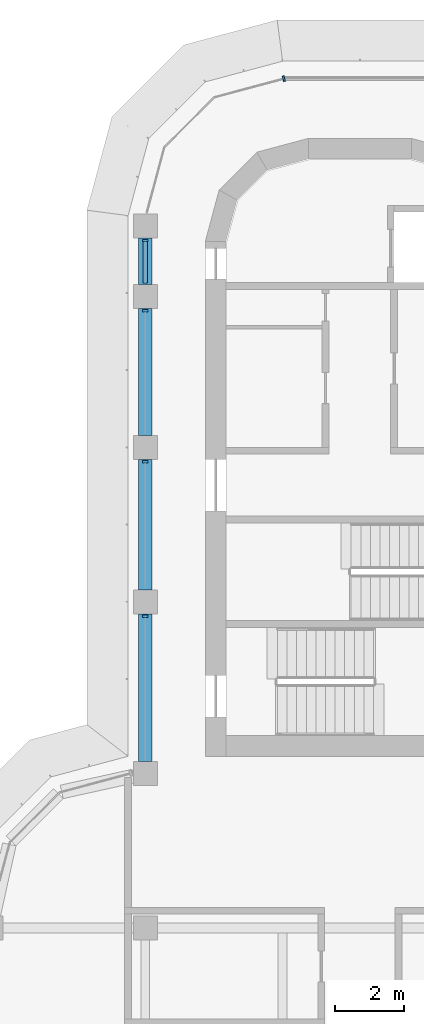
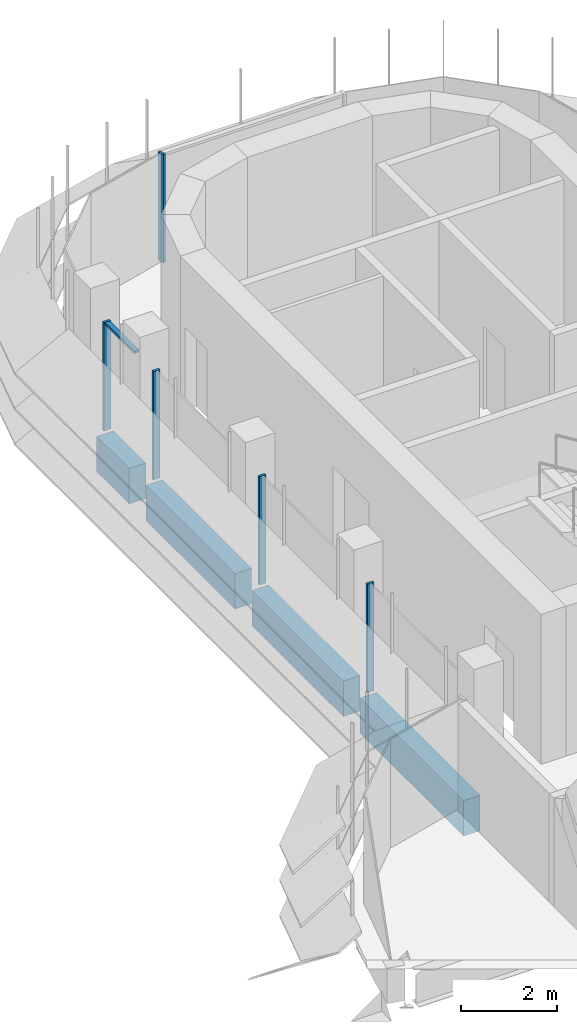
# One storey, part 7 of 19: 6 members, 4 beams, 2 elements without a shape of their own.
"""IFC4 building model written with IfcOpenShell, lengths in metres."""

from ifc_helpers import new_model, si_unit, direction, frame, origin, origin_2d, place, context, subcontext, project, spatial, polyline, rectangle, outline, extrude, source, transform, mapped, material, material_profile, profile_set, type_object, element, aggregate, save


model = new_model("IFC4")

# Units and contexts
model_context = context("Model", 3, precision=1e-05, world=origin(), true_north=direction((0.0, 1.0)))
body_context = subcontext(model_context, "Body", "Model", "MODEL_VIEW")
ifc_project = project(units=[si_unit("LENGTHUNIT", "METRE"), si_unit("AREAUNIT", "SQUARE_METRE"), si_unit("VOLUMEUNIT", "CUBIC_METRE"), si_unit("PLANEANGLEUNIT", "RADIAN"), si_unit("MASSUNIT", "GRAM", prefix="KILO")], contexts=[model_context])

# Site, building, storey
site_placement = place(None, origin())
site = spatial("IfcSite", under=ifc_project, at=site_placement, CompositionType="ELEMENT")
building_placement = place(site_placement, origin())
building = spatial("IfcBuilding", under=site, at=building_placement, Name="Zarbagh Exchange Tower", CompositionType="ELEMENT")
storey_placement = place(building_placement, frame((0.0, 0.0, 199.199951171875)))
storey = spatial("IfcBuildingStorey", under=building, at=storey_placement, Name="L48", CompositionType="ELEMENT", Elevation=199.199951171875)

# Beams
ifc_material_1 = material(Name="Concrete C50/60", Category="concrete")
ifc_material_profile = material_profile(ifc_material_1, rectangle(XDim=0.39990234375, YDim=0.89990234375, at=origin_2d()), Name="RC spandrel beam 400 x 900 C50/60")
ifc_profile_set = profile_set([ifc_material_profile], Name="Concrete C50/60")
beam_type = type_object("IfcBeamType", Name="RC spandrel beam 400 x 900 C50/60", PredefinedType="SPANDREL", material=ifc_profile_set)
beam_1_placement = place(storey_placement, frame((-6.25, 11.10009765625, -0.599853515625), z_axis=(0.0, 1.0, 0.0), x_axis=(-1.0, 0.0, 0.0)))
element("IfcBeam", 1, at=beam_1_placement, inside=storey, type_object=beam_type, Name="RC spandrel beam", PredefinedType="SPANDREL", context=body_context, shape_type="SweptSolid", body=[
    extrude(rectangle(XDim=0.39990234375, YDim=0.89990234375, at=origin_2d()), origin(), (0.0, 0.0, 1.0), 4.2998046875),
])
beam_2_placement = place(storey_placement, frame((-6.25, 16.10009765625, -0.599853515625), z_axis=(0.0, 1.0, 0.0), x_axis=(-1.0, 0.0, 0.0)))
element("IfcBeam", 2, at=beam_2_placement, inside=storey, type_object=beam_type, Name="RC spandrel beam", PredefinedType="SPANDREL", context=body_context, shape_type="SweptSolid", body=[
    extrude(rectangle(XDim=0.39990234375, YDim=0.89990234375, at=origin_2d()), origin(), (0.0, 0.0, 1.0), 3.7998046875),
])
beam_3_placement = place(storey_placement, frame((-6.25, 20.60009765625, -0.599853515625), z_axis=(0.0, 1.0, 0.0), x_axis=(-1.0, 0.0, 0.0)))
element("IfcBeam", 3, at=beam_3_placement, inside=storey, type_object=beam_type, Name="RC spandrel beam", PredefinedType="SPANDREL", context=body_context, shape_type="SweptSolid", body=[
    extrude(rectangle(XDim=0.39990234375, YDim=0.89990234375, at=origin_2d()), origin(), (0.0, 0.0, 1.0), 3.699951171875),
])
beam_4_placement = place(storey_placement, frame((-6.25, 25.0, -0.599853515625), z_axis=(0.0, 1.0, 0.0), x_axis=(-1.0, 0.0, 0.0)))
element("IfcBeam", 4, at=beam_4_placement, inside=storey, type_object=beam_type, Name="RC spandrel beam", PredefinedType="SPANDREL", context=body_context, shape_type="SweptSolid", body=[
    extrude(rectangle(XDim=0.39990234375, YDim=0.89990234375, at=origin_2d()), origin(), (0.0, 0.0, 1.0), 1.35009765625),
])

# Curtain wall, member
ifc_material_2 = material(Name="Anodised aluminium frame and glazing", Category="aluminium")
curtain_wall_type = type_object("IfcCurtainWallType", Name="CWB Ribbon glazing, upper zones", PredefinedType="NOTDEFINED", material=ifc_material_2)
curtain_wall_1_placement = place(storey_placement, origin())
curtain_wall_1 = element("IfcCurtainWall", 5, at=curtain_wall_1_placement, inside=storey, type_object=curtain_wall_type, Name="CWB25 curtain wall", PredefinedType="NOTDEFINED")
ifc_material_3 = material(Name="Anodised aluminium frame", Category="aluminium")
member_type_1 = type_object("IfcMemberType", Name="MUB Mullion, anodised aluminium frame", PredefinedType="MULLION", material=ifc_material_3)
shared_shape_1 = source(origin(), body_context, "Body", "SweptSolid", [
    extrude(outline(polyline([(0.0, -0.080078125), (0.06005859375, -0.080078125), (0.06005859375, 0.080078125), (0.0, 0.080078125), (0.0, -0.080078125)])), origin(), (0.0, 0.0, 1.0), 2.75),
])
placement = place(storey_placement, origin())
member_1 = element("IfcMember", 6, at=placement, type_object=member_type_1, Name="CWB25 mullion 1.1", PredefinedType="MULLION", context=body_context, shape_type="MappedRepresentation", body=[
    mapped(shared_shape_1, transform((-2.18408203125, 31.0, 0.0), x_axis=(-0.965924289636, -0.258824779902, 0.0), y_axis=(0.258824779902, -0.965924289636, 0.0), z_axis=(0.0, 0.0, 1.0))),
])
aggregate(curtain_wall_1, [member_1])

# Curtain wall, members
curtain_wall_2_placement = place(storey_placement, origin())
curtain_wall_2 = element("IfcCurtainWall", 7, at=curtain_wall_2_placement, inside=storey, type_object=curtain_wall_type, Name="CWB28 curtain wall", PredefinedType="NOTDEFINED")
member_2 = element("IfcMember", 8, at=placement, type_object=member_type_1, Name="CWB28 mullion 1.1", PredefinedType="MULLION", context=body_context, shape_type="MappedRepresentation", body=[
    mapped(shared_shape_1, transform((-6.25, 26.31005859375, 0.0), x_axis=(0.0, -1.0, 0.0), y_axis=(1.0, 0.0, 0.0), z_axis=(0.0, 0.0, 1.0))),
])
member_3 = element("IfcMember", 9, at=placement, type_object=member_type_1, Name="CWB28 mullion 2.1", PredefinedType="MULLION", context=body_context, shape_type="MappedRepresentation", body=[
    mapped(shared_shape_1, transform((-6.25, 24.260009765625, 0.0), x_axis=(0.0, -1.0, 0.0), y_axis=(1.0, 0.0, 0.0), z_axis=(0.0, 0.0, 1.0))),
])
member_4 = element("IfcMember", 10, at=placement, type_object=member_type_1, Name="CWB28 mullion 3.1", PredefinedType="MULLION", context=body_context, shape_type="MappedRepresentation", body=[
    mapped(shared_shape_1, transform((-6.25, 19.85986328125, 0.0), x_axis=(0.0, -1.0, 0.0), y_axis=(1.0, 0.0, 0.0), z_axis=(0.0, 0.0, 1.0))),
])
member_5 = element("IfcMember", 11, at=placement, type_object=member_type_1, Name="CWB28 mullion 4.1", PredefinedType="MULLION", context=body_context, shape_type="MappedRepresentation", body=[
    mapped(shared_shape_1, transform((-6.25, 15.35986328125, 0.0), x_axis=(0.0, -1.0, 0.0), y_axis=(1.0, 0.0, 0.0), z_axis=(0.0, 0.0, 1.0))),
])
member_type_2 = type_object("IfcMemberType", Name="TRB Transom, anodised aluminium frame", PredefinedType="USERDEFINED", material=ifc_material_3)
shared_shape_2 = source(origin(), body_context, "Body", "SweptSolid", [
    extrude(outline(polyline([(-0.06005859375, -0.06005859375), (0.0, -0.06005859375), (0.0, 0.06005859375), (-0.06005859375, 0.06005859375), (-0.06005859375, -0.06005859375)])), origin(), (0.0, 0.0, 1.0), 1.2099609375),
])
member_6 = element("IfcMember", 12, at=placement, type_object=member_type_2, Name="CWB28 transom 1.1", ObjectType="TRANSOM", PredefinedType="USERDEFINED", context=body_context, shape_type="MappedRepresentation", body=[
    mapped(shared_shape_2, transform((-6.25, 26.25, 2.75), x_axis=(0.0, 0.0, 1.0), y_axis=(-1.0, 0.0, 0.0), z_axis=(0.0, -1.0, 0.0))),
])
aggregate(curtain_wall_2, [member_2, member_6, member_3, member_4, member_5])

save(model, "model.ifc")
